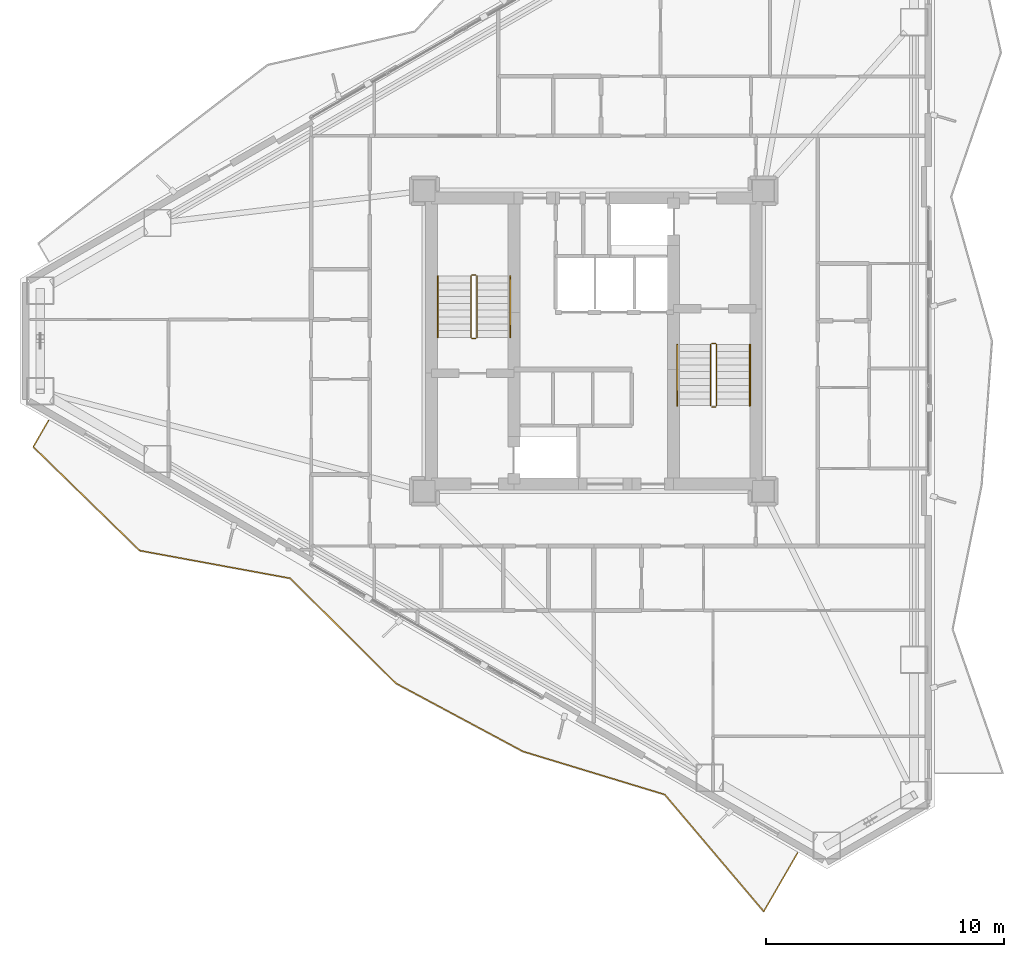
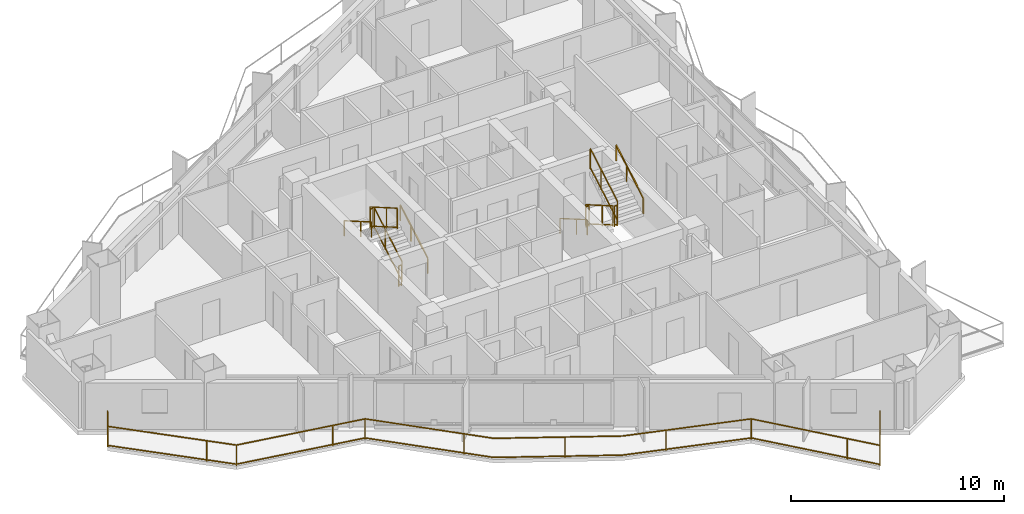
# One storey, part 22 of 23: 13 railings.
"""IFC4 building model written with IfcOpenShell, lengths in metres."""

from ifc_helpers import new_model, si_unit, direction, frame, origin, origin_2d, place, context, subcontext, project, spatial, rectangle, extrude, material, type_object, element, save


model = new_model("IFC4")

# Units and contexts
model_context = context("Model", 3, precision=1e-05, world=origin(), true_north=direction((0.0, 1.0)))
body_context = subcontext(model_context, "Body", "Model", "MODEL_VIEW")
ifc_project = project(units=[si_unit("LENGTHUNIT", "METRE"), si_unit("AREAUNIT", "SQUARE_METRE"), si_unit("VOLUMEUNIT", "CUBIC_METRE"), si_unit("PLANEANGLEUNIT", "RADIAN"), si_unit("MASSUNIT", "GRAM", prefix="KILO")], contexts=[model_context])

# Site, building, storey
site_placement = place(None, origin())
site = spatial("IfcSite", under=ifc_project, at=site_placement, CompositionType="ELEMENT")
building_placement = place(site_placement, origin())
building = spatial("IfcBuilding", under=site, at=building_placement, Name="Mersakhor Tower and Convention Hall", CompositionType="ELEMENT")
storey_placement = place(building_placement, frame((0.0, 0.0, 80.10009765625)))
storey = spatial("IfcBuildingStorey", under=building, at=storey_placement, Name="L21", CompositionType="ELEMENT", Elevation=80.10009765625)

# Railings
ifc_material_1 = material(Name="Powder-coated galvanised steel and laminated glass balustrade", Category="steel")
railing_type_1 = type_object("IfcRailingType", Name="RL-BAL-1200", PredefinedType="BALUSTRADE", material=ifc_material_1)
railing_1_placement = place(storey_placement, frame((6.1240234375, 23.4052734375, 0.0)))
element("IfcRailing", 1, at=railing_1_placement, inside=storey, type_object=railing_type_1, Name="L21 Sinusoidal Balcony Balustrade F3", PredefinedType="BALUSTRADE", context=body_context, shape_type="SweptSolid", body=[
    extrude(rectangle(XDim=0.048095703125, YDim=0.048095703125, at=origin_2d()), frame((0.0, 0.0, 1.17578125), z_axis=(-0.499822960955, -0.8661275932, 0.0), x_axis=(0.8661275932, -0.499822960955, 0.0)), (0.0, 0.0, 1.0), 1.26171875),
    extrude(rectangle(XDim=0.048095703125, YDim=0.048095703125, at=origin_2d()), frame((0.0, 0.0, 0.080078125), z_axis=(-0.499822960955, -0.8661275932, 0.0), x_axis=(0.8661275932, -0.499822960955, 0.0)), (0.0, 0.0, 1.0), 1.26171875),
    extrude(rectangle(XDim=0.048095703125, YDim=0.048095703125, at=origin_2d()), frame((-0.630615234375, -1.0927734375, 1.17578125), z_axis=(0.716166388815, -0.697929583505, 0.0), x_axis=(0.697929583505, 0.716166388815, 0.0)), (0.0, 0.0, 1.0), 6.238525390625),
    extrude(rectangle(XDim=0.048095703125, YDim=0.048095703125, at=origin_2d()), frame((-0.630615234375, -1.0927734375, 0.080078125), z_axis=(0.716166388815, -0.697929583505, 0.0), x_axis=(0.697929583505, 0.716166388815, 0.0)), (0.0, 0.0, 1.0), 6.238525390625),
    extrude(rectangle(XDim=0.048095703125, YDim=0.048095703125, at=origin_2d()), frame((3.837158203125, -5.44677734375, 1.17578125), z_axis=(0.98344837161, -0.181188576841, 0.0), x_axis=(0.181188576841, 0.98344837161, 0.0)), (0.0, 0.0, 1.0), 6.41650390625),
    extrude(rectangle(XDim=0.048095703125, YDim=0.048095703125, at=origin_2d()), frame((3.837158203125, -5.44677734375, 0.080078125), z_axis=(0.98344837161, -0.181188576841, 0.0), x_axis=(0.181188576841, 0.98344837161, 0.0)), (0.0, 0.0, 1.0), 6.41650390625),
    extrude(rectangle(XDim=0.048095703125, YDim=0.048095703125, at=origin_2d()), frame((10.1474609375, -6.609375, 1.17578125), z_axis=(0.709620481707, -0.704584112751, 0.0), x_axis=(0.704584112751, 0.709620481707, 0.0)), (0.0, 0.0, 1.0), 6.25341796875),
    extrude(rectangle(XDim=0.048095703125, YDim=0.048095703125, at=origin_2d()), frame((10.1474609375, -6.609375, 0.080078125), z_axis=(0.709620481707, -0.704584112751, 0.0), x_axis=(0.704584112751, 0.709620481707, 0.0)), (0.0, 0.0, 1.0), 6.25341796875),
    extrude(rectangle(XDim=0.048095703125, YDim=0.048095703125, at=origin_2d()), frame((14.5849609375, -11.015380859375, 1.17578125), z_axis=(0.881438569656, -0.472298685073, 0.0), x_axis=(0.472298685073, 0.881438569656, 0.0)), (0.0, 0.0, 1.0), 6.049560546875),
    extrude(rectangle(XDim=0.048095703125, YDim=0.048095703125, at=origin_2d()), frame((14.5849609375, -11.015380859375, 0.080078125), z_axis=(0.881438569656, -0.472298685073, 0.0), x_axis=(0.472298685073, 0.881438569656, 0.0)), (0.0, 0.0, 1.0), 6.049560546875),
    extrude(rectangle(XDim=0.048095703125, YDim=0.048095703125, at=origin_2d()), frame((19.917236328125, -13.87255859375, 1.17578125), z_axis=(0.956742446106, -0.290936233252, 0.0), x_axis=(0.290936233252, 0.956742446106, 0.0)), (0.0, 0.0, 1.0), 6.207275390625),
    extrude(rectangle(XDim=0.048095703125, YDim=0.048095703125, at=origin_2d()), frame((19.917236328125, -13.87255859375, 0.080078125), z_axis=(0.956742446106, -0.290936233252, 0.0), x_axis=(0.290936233252, 0.956742446106, 0.0)), (0.0, 0.0, 1.0), 6.207275390625),
    extrude(rectangle(XDim=0.048095703125, YDim=0.048095703125, at=origin_2d()), frame((25.85595703125, -15.678466796875, 1.17578125), z_axis=(0.646216482314, -0.763154150867, 0.0), x_axis=(0.763154150867, 0.646216482314, 0.0)), (0.0, 0.0, 1.0), 6.424072265625),
    extrude(rectangle(XDim=0.048095703125, YDim=0.048095703125, at=origin_2d()), frame((25.85595703125, -15.678466796875, 0.080078125), z_axis=(0.646216482314, -0.763154150867, 0.0), x_axis=(0.763154150867, 0.646216482314, 0.0)), (0.0, 0.0, 1.0), 6.424072265625),
    extrude(rectangle(XDim=0.048095703125, YDim=0.048095703125, at=origin_2d()), frame((30.00732421875, -20.5810546875, 1.17578125), z_axis=(0.499947271324, 0.866055844559, 0.0), x_axis=(-0.866055844559, 0.499947271324, 0.0)), (0.0, 0.0, 1.0), 2.820068359375),
    extrude(rectangle(XDim=0.048095703125, YDim=0.048095703125, at=origin_2d()), frame((30.00732421875, -20.5810546875, 0.080078125), z_axis=(0.499947271324, 0.866055844559, 0.0), x_axis=(-0.866055844559, 0.499947271324, 0.0)), (0.0, 0.0, 1.0), 2.820068359375),
    extrude(rectangle(XDim=0.0419921875, YDim=0.0419921875, at=origin_2d()), origin(), (0.0, 0.0, 1.0), 1.15185546875),
    extrude(rectangle(XDim=0.0419921875, YDim=0.0419921875, at=origin_2d()), frame((-0.630615234375, -1.0927734375, 0.0)), (0.0, 0.0, 1.0), 1.15185546875),
    extrude(rectangle(XDim=0.0419921875, YDim=0.0419921875, at=origin_2d()), frame((2.806884765625, -4.44287109375, 0.0)), (0.0, 0.0, 1.0), 1.15185546875),
    extrude(rectangle(XDim=0.0419921875, YDim=0.0419921875, at=origin_2d()), frame((3.837158203125, -5.44677734375, 0.0)), (0.0, 0.0, 1.0), 1.15185546875),
    extrude(rectangle(XDim=0.0419921875, YDim=0.0419921875, at=origin_2d()), frame((8.5576171875, -6.31640625, 0.0)), (0.0, 0.0, 1.0), 1.15185546875),
    extrude(rectangle(XDim=0.0419921875, YDim=0.0419921875, at=origin_2d()), frame((10.1474609375, -6.609375, 0.0)), (0.0, 0.0, 1.0), 1.15185546875),
    extrude(rectangle(XDim=0.0419921875, YDim=0.0419921875, at=origin_2d()), frame((13.5537109375, -9.991455078125, 0.0)), (0.0, 0.0, 1.0), 1.15185546875),
    extrude(rectangle(XDim=0.0419921875, YDim=0.0419921875, at=origin_2d()), frame((17.534912109375, -12.595947265625, 0.0)), (0.0, 0.0, 1.0), 1.15185546875),
    extrude(rectangle(XDim=0.0419921875, YDim=0.0419921875, at=origin_2d()), frame((21.923583984375, -14.482666015625, 0.0)), (0.0, 0.0, 1.0), 1.15185546875),
    extrude(rectangle(XDim=0.0419921875, YDim=0.0419921875, at=origin_2d()), frame((25.85595703125, -15.678466796875, 0.0)), (0.0, 0.0, 1.0), 1.15185546875),
    extrude(rectangle(XDim=0.0419921875, YDim=0.0419921875, at=origin_2d()), frame((28.957763671875, -19.341552734375, 0.0)), (0.0, 0.0, 1.0), 1.15185546875),
    extrude(rectangle(XDim=0.0419921875, YDim=0.0419921875, at=origin_2d()), frame((30.00732421875, -20.5810546875, 0.0)), (0.0, 0.0, 1.0), 1.15185546875),
    extrude(rectangle(XDim=0.0419921875, YDim=0.0419921875, at=origin_2d()), frame((31.417236328125, -18.138671875, 0.0)), (0.0, 0.0, 1.0), 1.15185546875),
])
ifc_material_2 = material(Name="Brushed stainless steel handrail", Category="steel")
railing_type_2 = type_object("IfcRailingType", Name="RL-HR-900", PredefinedType="HANDRAIL", material=ifc_material_2)
railing_2_placement = place(storey_placement, frame((25.5, 26.89990234375, 0.164794921875)))
element("IfcRailing", 2, at=railing_2_placement, inside=storey, type_object=railing_type_2, Name="L21 ST-1 stair handrail 1", PredefinedType="HANDRAIL", context=body_context, shape_type="SweptSolid", body=[
    extrude(rectangle(XDim=0.048095703125, YDim=0.048095703125, at=origin_2d()), frame((0.0, 0.0, 0.8759765625), z_axis=(0.0, 0.865426285481, 0.501036270542), x_axis=(-1.0, 0.0, 0.0)), (0.0, 0.0, 1.0), 2.964111328125),
    extrude(rectangle(XDim=0.0419921875, YDim=0.0419921875, at=origin_2d()), origin(), (0.0, 0.0, 1.0), 0.851806640625),
    extrude(rectangle(XDim=0.0419921875, YDim=0.0419921875, at=origin_2d()), frame((0.0, 1.557861328125, 0.90185546875)), (0.0, 0.0, 1.0), 0.851806640625),
    extrude(rectangle(XDim=0.0419921875, YDim=0.0419921875, at=origin_2d()), frame((0.0, 2.565185546875, 1.485107421875)), (0.0, 0.0, 1.0), 0.851806640625),
])
railing_3_placement = place(storey_placement, frame((22.449951171875, 29.465087890625, 1.81494140625)))
element("IfcRailing", 3, at=railing_3_placement, inside=storey, type_object=railing_type_2, Name="L21 ST-1 stair handrail 2", PredefinedType="HANDRAIL", context=body_context, shape_type="SweptSolid", body=[
    extrude(rectangle(XDim=0.048095703125, YDim=0.048095703125, at=origin_2d()), frame((0.0, 0.0, 0.8759765625), z_axis=(0.0, -0.865461999751, 0.500974577186), x_axis=(1.0, 0.0, 0.0)), (0.0, 0.0, 1.0), 2.9638671875),
    extrude(rectangle(XDim=0.0419921875, YDim=0.0419921875, at=origin_2d()), origin(), (0.0, 0.0, 1.0), 0.851806640625),
    extrude(rectangle(XDim=0.0419921875, YDim=0.0419921875, at=origin_2d()), frame((0.0, -1.557861328125, 0.90185546875)), (0.0, 0.0, 1.0), 0.851806640625),
    extrude(rectangle(XDim=0.0419921875, YDim=0.0419921875, at=origin_2d()), frame((0.0, -2.565185546875, 1.48486328125)), (0.0, 0.0, 1.0), 0.851806640625),
])
railing_4_placement = place(storey_placement, frame((32.5, 26.60009765625, 0.164794921875)))
element("IfcRailing", 4, at=railing_4_placement, inside=storey, type_object=railing_type_2, Name="L21 ST-2 stair handrail 1", PredefinedType="HANDRAIL", context=body_context, shape_type="SweptSolid", body=[
    extrude(rectangle(XDim=0.048095703125, YDim=0.048095703125, at=origin_2d()), frame((0.0, 0.0, 0.8759765625), z_axis=(0.0, -0.865426285481, 0.501036270542), x_axis=(1.0, 0.0, 0.0)), (0.0, 0.0, 1.0), 2.964111328125),
    extrude(rectangle(XDim=0.0419921875, YDim=0.0419921875, at=origin_2d()), origin(), (0.0, 0.0, 1.0), 0.851806640625),
    extrude(rectangle(XDim=0.0419921875, YDim=0.0419921875, at=origin_2d()), frame((0.0, -1.557861328125, 0.90185546875)), (0.0, 0.0, 1.0), 0.851806640625),
    extrude(rectangle(XDim=0.0419921875, YDim=0.0419921875, at=origin_2d()), frame((0.0, -2.565185546875, 1.485107421875)), (0.0, 0.0, 1.0), 0.851806640625),
])
railing_5_placement = place(storey_placement, frame((35.550048828125, 24.034912109375, 1.81494140625)))
element("IfcRailing", 5, at=railing_5_placement, inside=storey, type_object=railing_type_2, Name="L21 ST-2 stair handrail 2", PredefinedType="HANDRAIL", context=body_context, shape_type="SweptSolid", body=[
    extrude(rectangle(XDim=0.048095703125, YDim=0.048095703125, at=origin_2d()), frame((0.0, 0.0, 0.8759765625), z_axis=(0.0, 0.865461999751, 0.500974577186), x_axis=(-1.0, 0.0, 0.0)), (0.0, 0.0, 1.0), 2.9638671875),
    extrude(rectangle(XDim=0.0419921875, YDim=0.0419921875, at=origin_2d()), origin(), (0.0, 0.0, 1.0), 0.851806640625),
    extrude(rectangle(XDim=0.0419921875, YDim=0.0419921875, at=origin_2d()), frame((0.0, 1.557861328125, 0.90185546875)), (0.0, 0.0, 1.0), 0.851806640625),
    extrude(rectangle(XDim=0.0419921875, YDim=0.0419921875, at=origin_2d()), frame((0.0, 2.565185546875, 1.48486328125)), (0.0, 0.0, 1.0), 0.851806640625),
])
ifc_material_3 = material(Name="Painted steel stair balustrade S355", Category="steel")
railing_type_3 = type_object("IfcRailingType", Name="RL-STG-1200", PredefinedType="BALUSTRADE", material=ifc_material_3)
railing_6_placement = place(storey_placement, frame((24.10009765625, 26.89990234375, 0.164794921875)))
element("IfcRailing", 6, at=railing_6_placement, inside=storey, type_object=railing_type_3, Name="L21 ST-1 stair guard 1", PredefinedType="BALUSTRADE", context=body_context, shape_type="SweptSolid", body=[
    extrude(rectangle(XDim=0.048095703125, YDim=0.048095703125, at=origin_2d()), frame((0.0, 0.0, 1.17578125), z_axis=(0.0, 0.865426285481, 0.501036270542), x_axis=(-1.0, 0.0, 0.0)), (0.0, 0.0, 1.0), 2.964111328125),
    extrude(rectangle(XDim=0.048095703125, YDim=0.048095703125, at=origin_2d()), frame((0.0, 0.0, 0.080078125), z_axis=(0.0, 0.865426285481, 0.501036270542), x_axis=(-1.0, 0.0, 0.0)), (0.0, 0.0, 1.0), 2.964111328125),
    extrude(rectangle(XDim=0.0419921875, YDim=0.0419921875, at=origin_2d()), origin(), (0.0, 0.0, 1.0), 1.15185546875),
    extrude(rectangle(XDim=0.0419921875, YDim=0.0419921875, at=origin_2d()), frame((0.0, 1.557861328125, 0.90185546875)), (0.0, 0.0, 1.0), 1.15185546875),
    extrude(rectangle(XDim=0.0419921875, YDim=0.0419921875, at=origin_2d()), frame((0.0, 2.565185546875, 1.485107421875)), (0.0, 0.0, 1.0), 1.15185546875),
])
railing_7_placement = place(storey_placement, frame((24.050048828125, 29.514892578125, 1.64990234375)))
element("IfcRailing", 7, at=railing_7_placement, inside=storey, type_object=railing_type_3, Name="L21 ST-1 stair guard 2", PredefinedType="BALUSTRADE", context=body_context, shape_type="SweptSolid", body=[
    extrude(rectangle(XDim=0.048095703125, YDim=0.048095703125, at=origin_2d()), frame((0.0, 0.0, 1.17578125), z_axis=(-1.0, 0.0, 0.0), x_axis=(0.0, -1.0, 0.0)), (0.0, 0.0, 1.0), 0.150146484375),
    extrude(rectangle(XDim=0.048095703125, YDim=0.048095703125, at=origin_2d()), frame((0.0, 0.0, 0.080078125), z_axis=(-1.0, 0.0, 0.0), x_axis=(0.0, -1.0, 0.0)), (0.0, 0.0, 1.0), 0.150146484375),
    extrude(rectangle(XDim=0.0419921875, YDim=0.0419921875, at=origin_2d()), origin(), (0.0, 0.0, 1.0), 1.15185546875),
    extrude(rectangle(XDim=0.0419921875, YDim=0.0419921875, at=origin_2d()), frame((-0.150146484375, 0.0, 0.0)), (0.0, 0.0, 1.0), 1.15185546875),
])
railing_8_placement = place(storey_placement, frame((23.85009765625, 29.465087890625, 1.81494140625)))
element("IfcRailing", 8, at=railing_8_placement, inside=storey, type_object=railing_type_3, Name="L21 ST-1 stair guard 3", PredefinedType="BALUSTRADE", context=body_context, shape_type="SweptSolid", body=[
    extrude(rectangle(XDim=0.048095703125, YDim=0.048095703125, at=origin_2d()), frame((0.0, 0.0, 1.17578125), z_axis=(0.0, -0.865461999751, 0.500974577186), x_axis=(1.0, 0.0, 0.0)), (0.0, 0.0, 1.0), 2.9638671875),
    extrude(rectangle(XDim=0.048095703125, YDim=0.048095703125, at=origin_2d()), frame((0.0, 0.0, 0.080078125), z_axis=(0.0, -0.865461999751, 0.500974577186), x_axis=(1.0, 0.0, 0.0)), (0.0, 0.0, 1.0), 2.9638671875),
    extrude(rectangle(XDim=0.0419921875, YDim=0.0419921875, at=origin_2d()), origin(), (0.0, 0.0, 1.0), 1.15185546875),
    extrude(rectangle(XDim=0.0419921875, YDim=0.0419921875, at=origin_2d()), frame((0.0, -1.557861328125, 0.90185546875)), (0.0, 0.0, 1.0), 1.15185546875),
    extrude(rectangle(XDim=0.0419921875, YDim=0.0419921875, at=origin_2d()), frame((0.0, -2.565185546875, 1.48486328125)), (0.0, 0.0, 1.0), 1.15185546875),
])
railing_9_placement = place(storey_placement, frame((24.050048828125, 26.85009765625, 0.0)))
element("IfcRailing", 9, at=railing_9_placement, inside=storey, type_object=railing_type_3, Name="L21 ST-1 stair guard 4", PredefinedType="BALUSTRADE", context=body_context, shape_type="SweptSolid", body=[
    extrude(rectangle(XDim=0.048095703125, YDim=0.048095703125, at=origin_2d()), frame((0.0, 0.0, 1.17578125), z_axis=(-1.0, 0.0, 0.0), x_axis=(0.0, -1.0, 0.0)), (0.0, 0.0, 1.0), 0.150146484375),
    extrude(rectangle(XDim=0.048095703125, YDim=0.048095703125, at=origin_2d()), frame((0.0, 0.0, 0.080078125), z_axis=(-1.0, 0.0, 0.0), x_axis=(0.0, -1.0, 0.0)), (0.0, 0.0, 1.0), 0.150146484375),
    extrude(rectangle(XDim=0.0419921875, YDim=0.0419921875, at=origin_2d()), origin(), (0.0, 0.0, 1.0), 1.15185546875),
    extrude(rectangle(XDim=0.0419921875, YDim=0.0419921875, at=origin_2d()), frame((-0.150146484375, 0.0, 0.0)), (0.0, 0.0, 1.0), 1.15185546875),
])
railing_10_placement = place(storey_placement, frame((33.89990234375, 26.60009765625, 0.164794921875)))
element("IfcRailing", 10, at=railing_10_placement, inside=storey, type_object=railing_type_3, Name="L21 ST-2 stair guard 1", PredefinedType="BALUSTRADE", context=body_context, shape_type="SweptSolid", body=[
    extrude(rectangle(XDim=0.048095703125, YDim=0.048095703125, at=origin_2d()), frame((0.0, 0.0, 1.17578125), z_axis=(0.0, -0.865426285481, 0.501036270542), x_axis=(1.0, 0.0, 0.0)), (0.0, 0.0, 1.0), 2.964111328125),
    extrude(rectangle(XDim=0.048095703125, YDim=0.048095703125, at=origin_2d()), frame((0.0, 0.0, 0.080078125), z_axis=(0.0, -0.865426285481, 0.501036270542), x_axis=(1.0, 0.0, 0.0)), (0.0, 0.0, 1.0), 2.964111328125),
    extrude(rectangle(XDim=0.0419921875, YDim=0.0419921875, at=origin_2d()), origin(), (0.0, 0.0, 1.0), 1.15185546875),
    extrude(rectangle(XDim=0.0419921875, YDim=0.0419921875, at=origin_2d()), frame((0.0, -1.557861328125, 0.90185546875)), (0.0, 0.0, 1.0), 1.15185546875),
    extrude(rectangle(XDim=0.0419921875, YDim=0.0419921875, at=origin_2d()), frame((0.0, -2.565185546875, 1.485107421875)), (0.0, 0.0, 1.0), 1.15185546875),
])
railing_11_placement = place(storey_placement, frame((33.949951171875, 23.985107421875, 1.64990234375)))
element("IfcRailing", 11, at=railing_11_placement, inside=storey, type_object=railing_type_3, Name="L21 ST-2 stair guard 2", PredefinedType="BALUSTRADE", context=body_context, shape_type="SweptSolid", body=[
    extrude(rectangle(XDim=0.048095703125, YDim=0.048095703125, at=origin_2d()), frame((0.0, 0.0, 1.17578125), z_axis=(1.0, 0.0, 0.0), x_axis=(0.0, 1.0, 0.0)), (0.0, 0.0, 1.0), 0.150146484375),
    extrude(rectangle(XDim=0.048095703125, YDim=0.048095703125, at=origin_2d()), frame((0.0, 0.0, 0.080078125), z_axis=(1.0, 0.0, 0.0), x_axis=(0.0, 1.0, 0.0)), (0.0, 0.0, 1.0), 0.150146484375),
    extrude(rectangle(XDim=0.0419921875, YDim=0.0419921875, at=origin_2d()), origin(), (0.0, 0.0, 1.0), 1.15185546875),
    extrude(rectangle(XDim=0.0419921875, YDim=0.0419921875, at=origin_2d()), frame((0.150146484375, 0.0, 0.0)), (0.0, 0.0, 1.0), 1.15185546875),
])
railing_12_placement = place(storey_placement, frame((34.14990234375, 24.034912109375, 1.81494140625)))
element("IfcRailing", 12, at=railing_12_placement, inside=storey, type_object=railing_type_3, Name="L21 ST-2 stair guard 3", PredefinedType="BALUSTRADE", context=body_context, shape_type="SweptSolid", body=[
    extrude(rectangle(XDim=0.048095703125, YDim=0.048095703125, at=origin_2d()), frame((0.0, 0.0, 1.17578125), z_axis=(0.0, 0.865461999751, 0.500974577186), x_axis=(-1.0, 0.0, 0.0)), (0.0, 0.0, 1.0), 2.9638671875),
    extrude(rectangle(XDim=0.048095703125, YDim=0.048095703125, at=origin_2d()), frame((0.0, 0.0, 0.080078125), z_axis=(0.0, 0.865461999751, 0.500974577186), x_axis=(-1.0, 0.0, 0.0)), (0.0, 0.0, 1.0), 2.9638671875),
    extrude(rectangle(XDim=0.0419921875, YDim=0.0419921875, at=origin_2d()), origin(), (0.0, 0.0, 1.0), 1.15185546875),
    extrude(rectangle(XDim=0.0419921875, YDim=0.0419921875, at=origin_2d()), frame((0.0, 1.557861328125, 0.90185546875)), (0.0, 0.0, 1.0), 1.15185546875),
    extrude(rectangle(XDim=0.0419921875, YDim=0.0419921875, at=origin_2d()), frame((0.0, 2.565185546875, 1.48486328125)), (0.0, 0.0, 1.0), 1.15185546875),
])
railing_13_placement = place(storey_placement, frame((33.949951171875, 26.64990234375, 0.0)))
element("IfcRailing", 13, at=railing_13_placement, inside=storey, type_object=railing_type_3, Name="L21 ST-2 stair guard 4", PredefinedType="BALUSTRADE", context=body_context, shape_type="SweptSolid", body=[
    extrude(rectangle(XDim=0.048095703125, YDim=0.048095703125, at=origin_2d()), frame((0.0, 0.0, 1.17578125), z_axis=(1.0, 0.0, 0.0), x_axis=(0.0, 1.0, 0.0)), (0.0, 0.0, 1.0), 0.150146484375),
    extrude(rectangle(XDim=0.048095703125, YDim=0.048095703125, at=origin_2d()), frame((0.0, 0.0, 0.080078125), z_axis=(1.0, 0.0, 0.0), x_axis=(0.0, 1.0, 0.0)), (0.0, 0.0, 1.0), 0.150146484375),
    extrude(rectangle(XDim=0.0419921875, YDim=0.0419921875, at=origin_2d()), origin(), (0.0, 0.0, 1.0), 1.15185546875),
    extrude(rectangle(XDim=0.0419921875, YDim=0.0419921875, at=origin_2d()), frame((0.150146484375, 0.0, 0.0)), (0.0, 0.0, 1.0), 1.15185546875),
])

save(model, "model.ifc")
